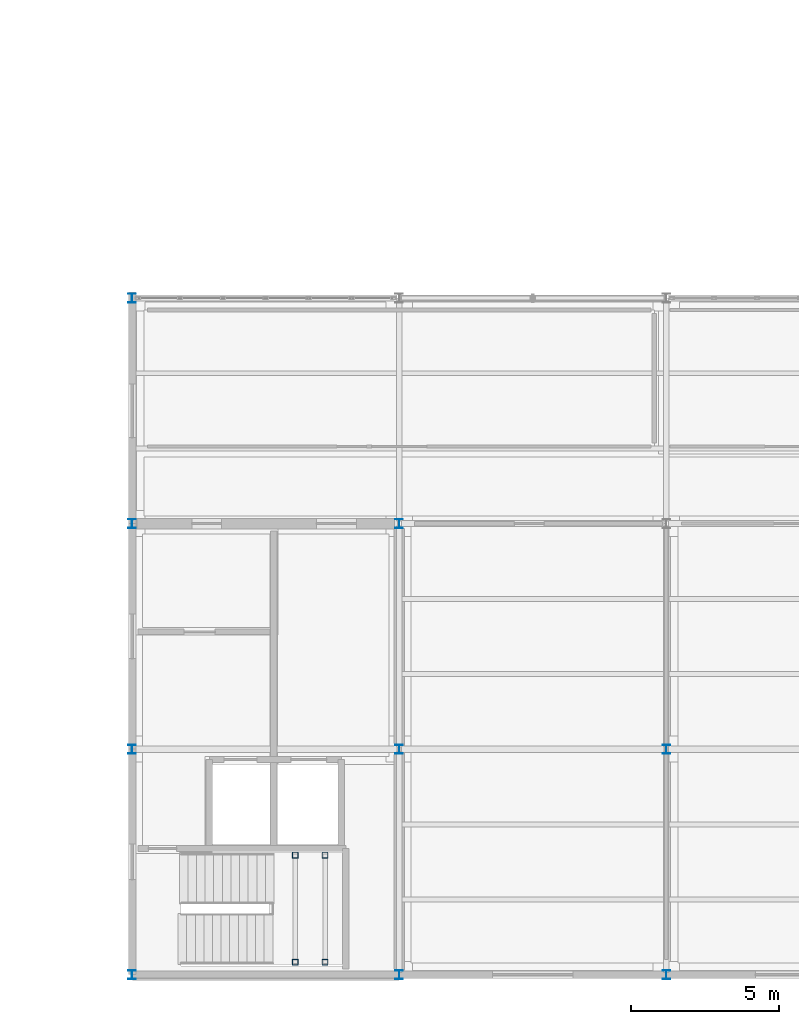
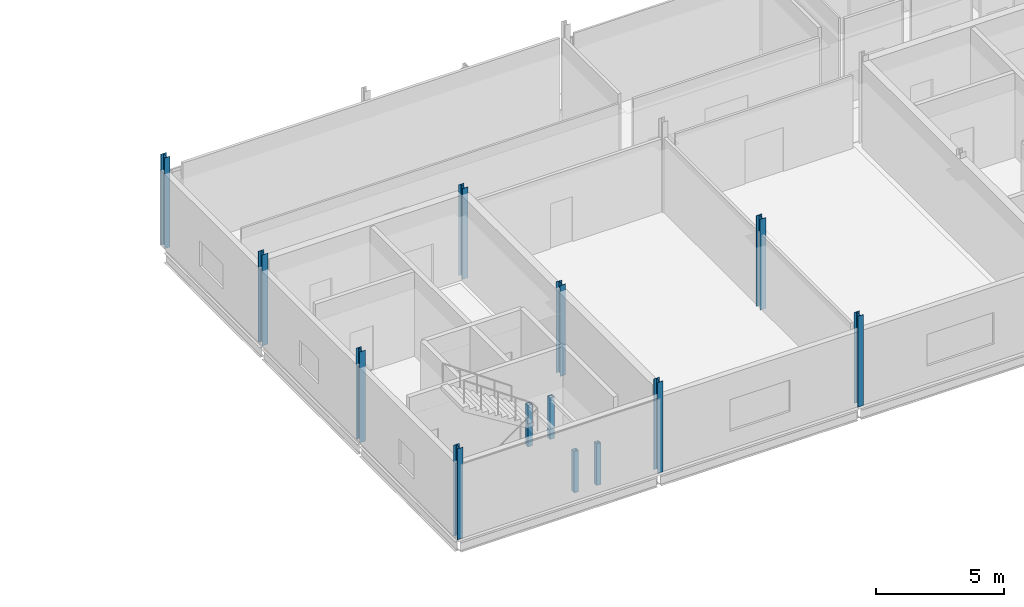
# One storey, part 1 of 24: 13 columns.
"""IFC4 building model written with IfcOpenShell, lengths in metres."""

from ifc_helpers import new_model, si_unit, direction, frame, origin, origin_2d, place, context, subcontext, project, spatial, hollow_rectangle, i_section, extrude, material, material_profile, profile_set, type_object, element, save


model = new_model("IFC4")

# Units and contexts
model_context = context("Model", 3, precision=1e-05, world=origin(), true_north=direction((0.0, 1.0)))
body_context = subcontext(model_context, "Body", "Model", "MODEL_VIEW")
ifc_project = project(units=[si_unit("LENGTHUNIT", "METRE"), si_unit("AREAUNIT", "SQUARE_METRE"), si_unit("VOLUMEUNIT", "CUBIC_METRE"), si_unit("PLANEANGLEUNIT", "RADIAN"), si_unit("MASSUNIT", "GRAM", prefix="KILO")], contexts=[model_context])

# Site, building, storey
site_placement = place(None, origin())
site = spatial("IfcSite", under=ifc_project, at=site_placement, CompositionType="ELEMENT")
building_placement = place(site_placement, origin())
building = spatial("IfcBuilding", under=site, at=building_placement, Name="Caisbarro Railhouse Central Library", CompositionType="ELEMENT")
storey_placement = place(building_placement, frame((0.0, 0.0, 22.320068359375)))
storey = spatial("IfcBuildingStorey", under=building, at=storey_placement, Name="L05", CompositionType="ELEMENT", Elevation=22.320068359375)

# Columns
ifc_material = material(Name="Steel ASTM A572 Grade 50", Category="steel")
ifc_material_profile_1 = material_profile(ifc_material, i_section(OverallWidth=0.25390625, OverallDepth=0.305908203125, WebThickness=0.0087890625, FlangeThickness=0.0146484375, FilletRadius=0.014892578125, at=origin_2d()), Name="W310X79.0")
ifc_profile_set_1 = profile_set([ifc_material_profile_1], Name="Steel ASTM A572 Grade 50")
column_type_1 = type_object("IfcColumnType", Name="COL-C07", PredefinedType="COLUMN", material=ifc_profile_set_1)
for number, where, z_axis, x_axis, name in (
    (1, (63.0, 0.0, 0.0), (0.0, 0.0, 1.0), (1.0, 0.0, 0.0), "C07 column L05 (63.0,0.0)"),
    (2, (63.0, 7.60009765625, 0.0), (0.0, 0.0, 1.0), (1.0, 0.0, 0.0), "C07 column L05 (63.0,7.6)"),
    (3, (63.0, 15.199951171875, 0.0), (0.0, 0.0, 1.0), (1.0, 0.0, 0.0), "C07 column L05 (63.0,15.2)"),
    (4, (63.0, 22.800048828125, 0.0), (0.0, 0.0, 1.0), (1.0, 0.0, 0.0), "C07 column L05 (63.0,22.8)"),
    (5, (72.0, 0.0, 0.0), (0.0, 0.0, 1.0), (1.0, 0.0, 0.0), "C07 column L05 (72.0,0.0)"),
    (6, (72.0, 7.60009765625, 0.0), (0.0, 0.0, 1.0), (1.0, 0.0, 0.0), "C07 column L05 (72.0,7.6)"),
    (7, (72.0, 15.199951171875, 0.0), (0.0, 0.0, 1.0), (1.0, 0.0, 0.0), "C07 column L05 (72.0,15.2)"),
    (8, (81.0, 0.0, 0.0), (0.0, 0.0, 1.0), (1.0, 0.0, 0.0), "C07 column L05 (81.0,0.0)"),
    (9, (81.0, 7.60009765625, 0.0), (0.0, 0.0, 1.0), (1.0, 0.0, 0.0), "C07 column L05 (81.0,7.6)"),
):
    element("IfcColumn", number, at=place(storey_placement, frame(where, z_axis=z_axis, x_axis=x_axis)), inside=storey, type_object=column_type_1, Name=name, PredefinedType="COLUMN", context=body_context, shape_type="SweptSolid", body=[
        extrude(i_section(OverallWidth=0.25390625, OverallDepth=0.305908203125, WebThickness=0.0087890625, FlangeThickness=0.0146484375, FilletRadius=0.014892578125, at=origin_2d()), origin(), (0.0, 0.0, 1.0), 4.31982421875),
    ])
ifc_material_profile_2 = material_profile(ifc_material, hollow_rectangle(XDim=0.199951171875, YDim=0.199951171875, WallThickness=0.012451171875, at=origin_2d()), Name="HSS200X200X12.5")
ifc_profile_set_2 = profile_set([ifc_material_profile_2], Name="Steel ASTM A572 Grade 50")
column_type_2 = type_object("IfcColumnType", Name="COL-C10", PredefinedType="COLUMN", material=ifc_profile_set_2)
for number, where, z_axis, x_axis, name in (
    (10, (68.5, 0.419921875, 0.0), (0.0, 0.0, 1.0), (1.0, 0.0, 0.0), "C10 Stair Landing Post K1 L05.1"),
    (11, (68.5, 4.030029296875, 0.0), (0.0, 0.0, 1.0), (1.0, 0.0, 0.0), "C10 Stair Landing Post K1 L05.2"),
    (12, (69.5, 0.419921875, 0.0), (0.0, 0.0, 1.0), (1.0, 0.0, 0.0), "C10 Stair Landing Post K1 L05.3"),
    (13, (69.5, 4.030029296875, 0.0), (0.0, 0.0, 1.0), (1.0, 0.0, 0.0), "C10 Stair Landing Post K1 L05.4"),
):
    element("IfcColumn", number, at=place(storey_placement, frame(where, z_axis=z_axis, x_axis=x_axis)), inside=storey, type_object=column_type_2, Name=name, PredefinedType="COLUMN", context=body_context, shape_type="SweptSolid", body=[
        extrude(hollow_rectangle(XDim=0.199951171875, YDim=0.199951171875, WallThickness=0.012451171875, at=origin_2d()), origin(), (0.0, 0.0, 1.0), 1.969970703125),
    ])

save(model, "model.ifc")
